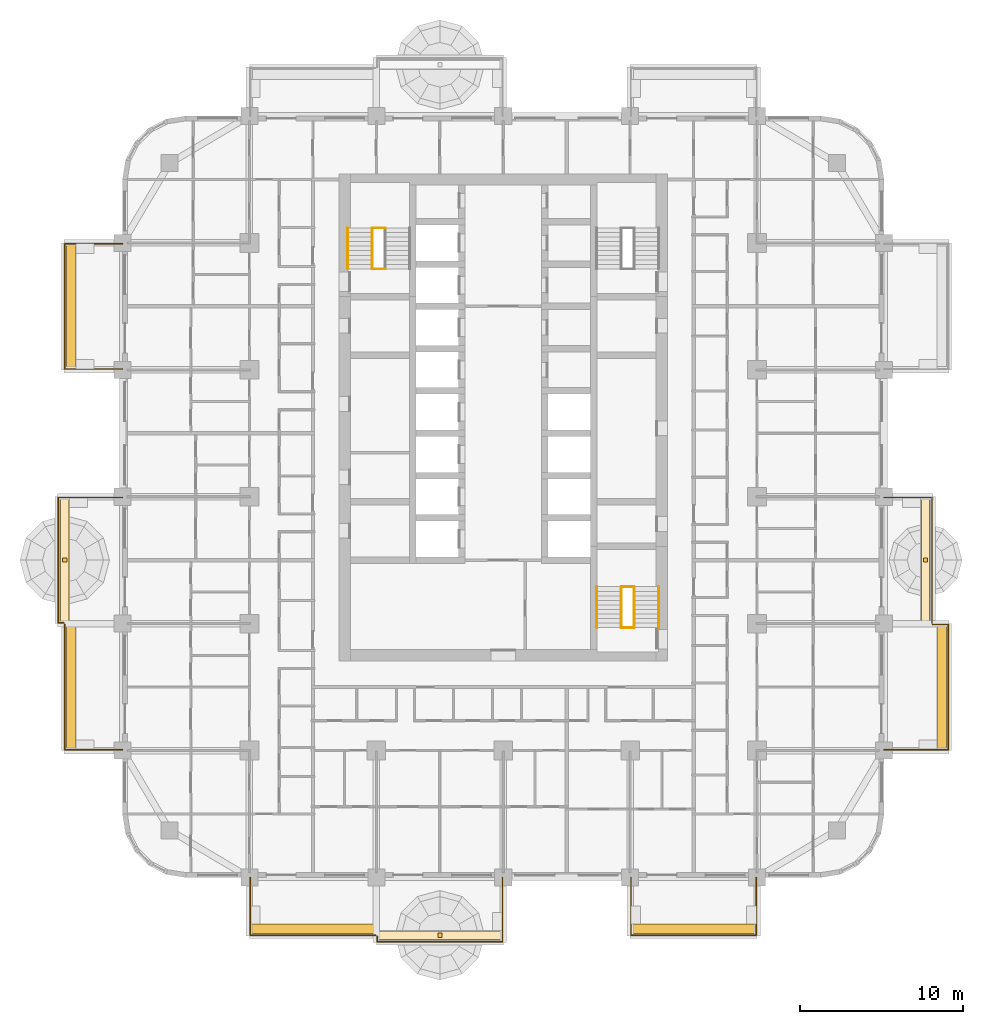
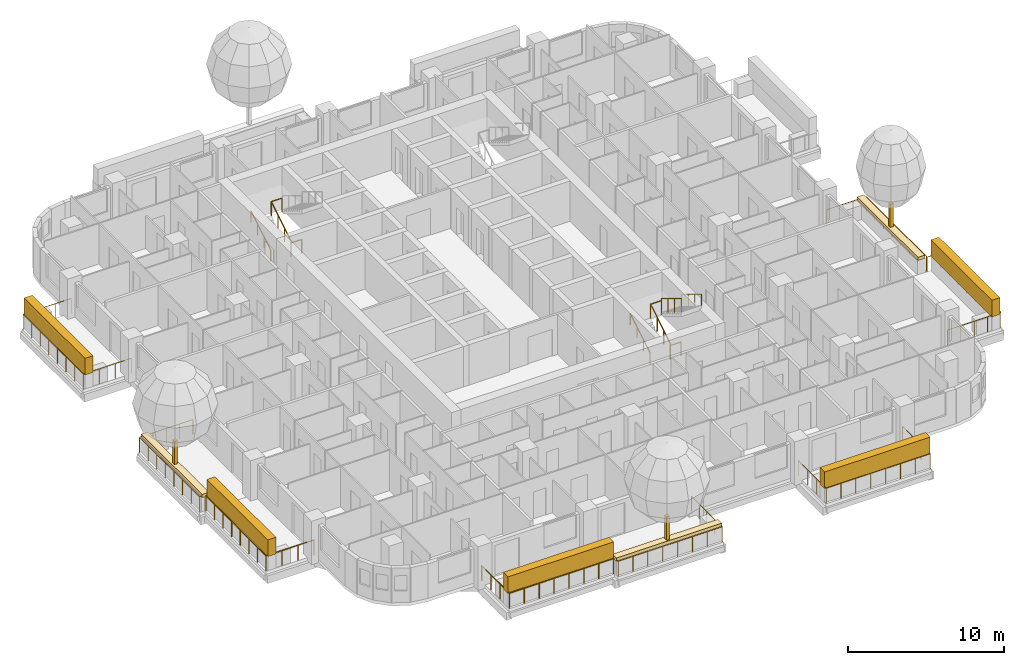
# One storey, part 16 of 18: 18 railings, 11 coverings, 2 elements without a shape of their own.
"""IFC4 building model written with IfcOpenShell, lengths in metres."""

from ifc_helpers import new_model, si_unit, direction, frame, origin, origin_2d, place, context, subcontext, project, spatial, rectangle, circle, extrude, material, layer, layer_set, type_object, element, aggregate, save


model = new_model("IFC4")

# Units and contexts
model_context = context("Model", 3, precision=1e-05, world=origin(), true_north=direction((0.0, 1.0)))
body_context = subcontext(model_context, "Body", "Model", "MODEL_VIEW")
ifc_project = project(units=[si_unit("LENGTHUNIT", "METRE"), si_unit("AREAUNIT", "SQUARE_METRE"), si_unit("VOLUMEUNIT", "CUBIC_METRE"), si_unit("PLANEANGLEUNIT", "RADIAN"), si_unit("MASSUNIT", "GRAM", prefix="KILO")], contexts=[model_context])

# Site, building, storey
site_placement = place(None, origin())
site = spatial("IfcSite", under=ifc_project, at=site_placement, CompositionType="ELEMENT")
building_placement = place(site_placement, origin())
building = spatial("IfcBuilding", under=site, at=building_placement, Name="Ludao Terraces", CompositionType="ELEMENT")
storey_placement = place(building_placement, frame((0.0, 0.0, 26.300048828125)))
storey = spatial("IfcBuildingStorey", under=building, at=storey_placement, Name="L06", CompositionType="ELEMENT", Elevation=26.300048828125)

# Railings
ifc_material_1 = material(Name="Stainless steel 304", Category="steel")
railing_type_1 = type_object("IfcRailingType", Name="ENV Balcony glass guard 1200", PredefinedType="GUARDRAIL", material=ifc_material_1)
railing_1_placement = place(storey_placement, frame((69.449951171875, 41.60009765625, 0.0)))
element("IfcRailing", 1, at=railing_1_placement, inside=storey, type_object=railing_type_1, Name="Balcony guard L06 S1", PredefinedType="GUARDRAIL", context=body_context, shape_type="SweptSolid", body=[
    extrude(circle(Radius=0.02392578125, at=origin_2d()), frame((0.0, 0.0, 1.17578125), z_axis=(0.0, -1.0, 0.0), x_axis=(1.0, 0.0, 0.0)), (0.0, 0.0, 1.0), 3.550048828125),
    extrude(circle(Radius=0.02392578125, at=origin_2d()), frame((0.0, -3.550048828125, 1.17578125), z_axis=(1.0, 0.0, 0.0), x_axis=(0.0, 1.0, 0.0)), (0.0, 0.0, 1.0), 7.699951171875),
    extrude(circle(Radius=0.02099609375, at=origin_2d()), origin(), (0.0, 0.0, 1.0), 1.15185546875),
    extrude(circle(Radius=0.02099609375, at=origin_2d()), frame((0.0, -1.183349609375, 0.0)), (0.0, 0.0, 1.0), 1.15185546875),
    extrude(circle(Radius=0.02099609375, at=origin_2d()), frame((0.0, -2.36669921875, 0.0)), (0.0, 0.0, 1.0), 1.15185546875),
    extrude(circle(Radius=0.02099609375, at=origin_2d()), frame((0.0, -3.550048828125, 0.0)), (0.0, 0.0, 1.0), 1.15185546875),
    extrude(circle(Radius=0.02099609375, at=origin_2d()), frame((1.10009765625, -3.550048828125, 0.0)), (0.0, 0.0, 1.0), 1.15185546875),
    extrude(circle(Radius=0.02099609375, at=origin_2d()), frame((2.199951171875, -3.550048828125, 0.0)), (0.0, 0.0, 1.0), 1.15185546875),
    extrude(circle(Radius=0.02099609375, at=origin_2d()), frame((3.300048828125, -3.550048828125, 0.0)), (0.0, 0.0, 1.0), 1.15185546875),
    extrude(circle(Radius=0.02099609375, at=origin_2d()), frame((4.39990234375, -3.550048828125, 0.0)), (0.0, 0.0, 1.0), 1.15185546875),
    extrude(circle(Radius=0.02099609375, at=origin_2d()), frame((5.5, -3.550048828125, 0.0)), (0.0, 0.0, 1.0), 1.15185546875),
    extrude(circle(Radius=0.02099609375, at=origin_2d()), frame((6.599853515625, -3.550048828125, 0.0)), (0.0, 0.0, 1.0), 1.15185546875),
    extrude(circle(Radius=0.02099609375, at=origin_2d()), frame((7.699951171875, -3.550048828125, 0.0)), (0.0, 0.0, 1.0), 1.15185546875),
])
railing_2_placement = place(storey_placement, frame((77.25, 38.0, 0.0)))
element("IfcRailing", 2, at=railing_2_placement, inside=storey, type_object=railing_type_1, Name="Balcony guard L06 S2", PredefinedType="GUARDRAIL", context=body_context, shape_type="SweptSolid", body=[
    extrude(circle(Radius=0.02392578125, at=origin_2d()), frame((0.0, 0.0, 1.17578125), z_axis=(0.0, -1.0, 0.0), x_axis=(1.0, 0.0, 0.0)), (0.0, 0.0, 1.0), 0.35009765625),
    extrude(circle(Radius=0.02392578125, at=origin_2d()), frame((0.0, -0.35009765625, 1.17578125), z_axis=(1.0, 0.0, 0.0), x_axis=(0.0, 1.0, 0.0)), (0.0, 0.0, 1.0), 7.699951171875),
    extrude(circle(Radius=0.02392578125, at=origin_2d()), frame((7.699951171875, -0.35009765625, 1.17578125), z_axis=(0.0, 1.0, 0.0), x_axis=(-1.0, 0.0, 0.0)), (0.0, 0.0, 1.0), 3.9501953125),
    extrude(circle(Radius=0.02099609375, at=origin_2d()), origin(), (0.0, 0.0, 1.0), 1.15185546875),
    extrude(circle(Radius=0.02099609375, at=origin_2d()), frame((0.0, -0.35009765625, 0.0)), (0.0, 0.0, 1.0), 1.15185546875),
    extrude(circle(Radius=0.02099609375, at=origin_2d()), frame((1.10009765625, -0.35009765625, 0.0)), (0.0, 0.0, 1.0), 1.15185546875),
    extrude(circle(Radius=0.02099609375, at=origin_2d()), frame((2.199951171875, -0.35009765625, 0.0)), (0.0, 0.0, 1.0), 1.15185546875),
    extrude(circle(Radius=0.02099609375, at=origin_2d()), frame((3.300048828125, -0.35009765625, 0.0)), (0.0, 0.0, 1.0), 1.15185546875),
    extrude(circle(Radius=0.02099609375, at=origin_2d()), frame((4.39990234375, -0.35009765625, 0.0)), (0.0, 0.0, 1.0), 1.15185546875),
    extrude(circle(Radius=0.02099609375, at=origin_2d()), frame((5.5, -0.35009765625, 0.0)), (0.0, 0.0, 1.0), 1.15185546875),
    extrude(circle(Radius=0.02099609375, at=origin_2d()), frame((6.599853515625, -0.35009765625, 0.0)), (0.0, 0.0, 1.0), 1.15185546875),
    extrude(circle(Radius=0.02099609375, at=origin_2d()), frame((7.699951171875, -0.35009765625, 0.0)), (0.0, 0.0, 1.0), 1.15185546875),
    extrude(circle(Radius=0.02099609375, at=origin_2d()), frame((7.699951171875, 0.637451171875, 0.0)), (0.0, 0.0, 1.0), 1.15185546875),
    extrude(circle(Radius=0.02099609375, at=origin_2d()), frame((7.699951171875, 1.625, 0.0)), (0.0, 0.0, 1.0), 1.15185546875),
    extrude(circle(Radius=0.02099609375, at=origin_2d()), frame((7.699951171875, 2.612548828125, 0.0)), (0.0, 0.0, 1.0), 1.15185546875),
    extrude(circle(Radius=0.02099609375, at=origin_2d()), frame((7.699951171875, 3.60009765625, 0.0)), (0.0, 0.0, 1.0), 1.15185546875),
])
railing_3_placement = place(storey_placement, frame((92.85009765625, 41.60009765625, 0.0)))
element("IfcRailing", 3, at=railing_3_placement, inside=storey, type_object=railing_type_1, Name="Balcony guard L06 S4", PredefinedType="GUARDRAIL", context=body_context, shape_type="SweptSolid", body=[
    extrude(circle(Radius=0.02392578125, at=origin_2d()), frame((0.0, 0.0, 1.17578125), z_axis=(0.0, -1.0, 0.0), x_axis=(1.0, 0.0, 0.0)), (0.0, 0.0, 1.0), 3.550048828125),
    extrude(circle(Radius=0.02392578125, at=origin_2d()), frame((0.0, -3.550048828125, 1.17578125), z_axis=(1.0, 0.0, 0.0), x_axis=(0.0, 1.0, 0.0)), (0.0, 0.0, 1.0), 7.699951171875),
    extrude(circle(Radius=0.02392578125, at=origin_2d()), frame((7.699951171875, -3.550048828125, 1.17578125), z_axis=(0.0, 1.0, 0.0), x_axis=(-1.0, 0.0, 0.0)), (0.0, 0.0, 1.0), 3.550048828125),
    extrude(circle(Radius=0.02099609375, at=origin_2d()), origin(), (0.0, 0.0, 1.0), 1.15185546875),
    extrude(circle(Radius=0.02099609375, at=origin_2d()), frame((0.0, -1.183349609375, 0.0)), (0.0, 0.0, 1.0), 1.15185546875),
    extrude(circle(Radius=0.02099609375, at=origin_2d()), frame((0.0, -2.36669921875, 0.0)), (0.0, 0.0, 1.0), 1.15185546875),
    extrude(circle(Radius=0.02099609375, at=origin_2d()), frame((0.0, -3.550048828125, 0.0)), (0.0, 0.0, 1.0), 1.15185546875),
    extrude(circle(Radius=0.02099609375, at=origin_2d()), frame((1.10009765625, -3.550048828125, 0.0)), (0.0, 0.0, 1.0), 1.15185546875),
    extrude(circle(Radius=0.02099609375, at=origin_2d()), frame((2.199951171875, -3.550048828125, 0.0)), (0.0, 0.0, 1.0), 1.15185546875),
    extrude(circle(Radius=0.02099609375, at=origin_2d()), frame((3.300048828125, -3.550048828125, 0.0)), (0.0, 0.0, 1.0), 1.15185546875),
    extrude(circle(Radius=0.02099609375, at=origin_2d()), frame((4.39990234375, -3.550048828125, 0.0)), (0.0, 0.0, 1.0), 1.15185546875),
    extrude(circle(Radius=0.02099609375, at=origin_2d()), frame((5.5, -3.550048828125, 0.0)), (0.0, 0.0, 1.0), 1.15185546875),
    extrude(circle(Radius=0.02099609375, at=origin_2d()), frame((6.599853515625, -3.550048828125, 0.0)), (0.0, 0.0, 1.0), 1.15185546875),
    extrude(circle(Radius=0.02099609375, at=origin_2d()), frame((7.699951171875, -3.550048828125, 0.0)), (0.0, 0.0, 1.0), 1.15185546875),
    extrude(circle(Radius=0.02099609375, at=origin_2d()), frame((7.699951171875, -2.36669921875, 0.0)), (0.0, 0.0, 1.0), 1.15185546875),
    extrude(circle(Radius=0.02099609375, at=origin_2d()), frame((7.699951171875, -1.183349609375, 0.0)), (0.0, 0.0, 1.0), 1.15185546875),
    extrude(circle(Radius=0.02099609375, at=origin_2d()), frame((7.699951171875, 0.0, 0.0)), (0.0, 0.0, 1.0), 1.15185546875),
])
railing_4_placement = place(storey_placement, frame((108.39990234375, 49.449951171875, 0.0)))
element("IfcRailing", 4, at=railing_4_placement, inside=storey, type_object=railing_type_1, Name="Balcony guard L06 E1", PredefinedType="GUARDRAIL", context=body_context, shape_type="SweptSolid", body=[
    extrude(circle(Radius=0.02392578125, at=origin_2d()), frame((0.0, 0.0, 1.17578125), z_axis=(1.0, 0.0, 0.0), x_axis=(0.0, 1.0, 0.0)), (0.0, 0.0, 1.0), 3.9501953125),
    extrude(circle(Radius=0.02392578125, at=origin_2d()), frame((3.9501953125, 0.0, 1.17578125), z_axis=(0.0, 1.0, 0.0), x_axis=(-1.0, 0.0, 0.0)), (0.0, 0.0, 1.0), 7.699951171875),
    extrude(circle(Radius=0.02392578125, at=origin_2d()), frame((3.9501953125, 7.699951171875, 1.17578125), z_axis=(-1.0, 0.0, 0.0), x_axis=(0.0, -1.0, 0.0)), (0.0, 0.0, 1.0), 0.9501953125),
    extrude(circle(Radius=0.02099609375, at=origin_2d()), origin(), (0.0, 0.0, 1.0), 1.15185546875),
    extrude(circle(Radius=0.02099609375, at=origin_2d()), frame((0.987548828125, 0.0, 0.0)), (0.0, 0.0, 1.0), 1.15185546875),
    extrude(circle(Radius=0.02099609375, at=origin_2d()), frame((1.97509765625, 0.0, 0.0)), (0.0, 0.0, 1.0), 1.15185546875),
    extrude(circle(Radius=0.02099609375, at=origin_2d()), frame((2.962646484375, 0.0, 0.0)), (0.0, 0.0, 1.0), 1.15185546875),
    extrude(circle(Radius=0.02099609375, at=origin_2d()), frame((3.9501953125, 0.0, 0.0)), (0.0, 0.0, 1.0), 1.15185546875),
    extrude(circle(Radius=0.02099609375, at=origin_2d()), frame((3.9501953125, 1.10009765625, 0.0)), (0.0, 0.0, 1.0), 1.15185546875),
    extrude(circle(Radius=0.02099609375, at=origin_2d()), frame((3.9501953125, 2.199951171875, 0.0)), (0.0, 0.0, 1.0), 1.15185546875),
    extrude(circle(Radius=0.02099609375, at=origin_2d()), frame((3.9501953125, 3.300048828125, 0.0)), (0.0, 0.0, 1.0), 1.15185546875),
    extrude(circle(Radius=0.02099609375, at=origin_2d()), frame((3.9501953125, 4.39990234375, 0.0)), (0.0, 0.0, 1.0), 1.15185546875),
    extrude(circle(Radius=0.02099609375, at=origin_2d()), frame((3.9501953125, 5.5, 0.0)), (0.0, 0.0, 1.0), 1.15185546875),
    extrude(circle(Radius=0.02099609375, at=origin_2d()), frame((3.9501953125, 6.599853515625, 0.0)), (0.0, 0.0, 1.0), 1.15185546875),
    extrude(circle(Radius=0.02099609375, at=origin_2d()), frame((3.9501953125, 7.699951171875, 0.0)), (0.0, 0.0, 1.0), 1.15185546875),
    extrude(circle(Radius=0.02099609375, at=origin_2d()), frame((3.0, 7.699951171875, 0.0)), (0.0, 0.0, 1.0), 1.15185546875),
])
railing_5_placement = place(storey_placement, frame((111.35009765625, 57.25, 0.0)))
element("IfcRailing", 5, at=railing_5_placement, inside=storey, type_object=railing_type_1, Name="Balcony guard L06 E2", PredefinedType="GUARDRAIL", context=body_context, shape_type="SweptSolid", body=[
    extrude(circle(Radius=0.02392578125, at=origin_2d()), frame((0.0, 0.0, 1.17578125), z_axis=(0.0, 1.0, 0.0), x_axis=(-1.0, 0.0, 0.0)), (0.0, 0.0, 1.0), 7.699951171875),
    extrude(circle(Radius=0.02392578125, at=origin_2d()), frame((0.0, 7.699951171875, 1.17578125), z_axis=(-1.0, 0.0, 0.0), x_axis=(0.0, -1.0, 0.0)), (0.0, 0.0, 1.0), 2.9501953125),
    extrude(circle(Radius=0.02099609375, at=origin_2d()), origin(), (0.0, 0.0, 1.0), 1.15185546875),
    extrude(circle(Radius=0.02099609375, at=origin_2d()), frame((0.0, 1.10009765625, 0.0)), (0.0, 0.0, 1.0), 1.15185546875),
    extrude(circle(Radius=0.02099609375, at=origin_2d()), frame((0.0, 2.199951171875, 0.0)), (0.0, 0.0, 1.0), 1.15185546875),
    extrude(circle(Radius=0.02099609375, at=origin_2d()), frame((0.0, 3.300048828125, 0.0)), (0.0, 0.0, 1.0), 1.15185546875),
    extrude(circle(Radius=0.02099609375, at=origin_2d()), frame((0.0, 4.39990234375, 0.0)), (0.0, 0.0, 1.0), 1.15185546875),
    extrude(circle(Radius=0.02099609375, at=origin_2d()), frame((0.0, 5.5, 0.0)), (0.0, 0.0, 1.0), 1.15185546875),
    extrude(circle(Radius=0.02099609375, at=origin_2d()), frame((0.0, 6.599853515625, 0.0)), (0.0, 0.0, 1.0), 1.15185546875),
    extrude(circle(Radius=0.02099609375, at=origin_2d()), frame((0.0, 7.699951171875, 0.0)), (0.0, 0.0, 1.0), 1.15185546875),
    extrude(circle(Radius=0.02099609375, at=origin_2d()), frame((-0.9833984375, 7.699951171875, 0.0)), (0.0, 0.0, 1.0), 1.15185546875),
    extrude(circle(Radius=0.02099609375, at=origin_2d()), frame((-1.966796875, 7.699951171875, 0.0)), (0.0, 0.0, 1.0), 1.15185546875),
    extrude(circle(Radius=0.02099609375, at=origin_2d()), frame((-2.9501953125, 7.699951171875, 0.0)), (0.0, 0.0, 1.0), 1.15185546875),
])
railing_6_placement = place(storey_placement, frame((61.60009765625, 49.449951171875, 0.0)))
element("IfcRailing", 6, at=railing_6_placement, inside=storey, type_object=railing_type_1, Name="Balcony guard L06 W1", PredefinedType="GUARDRAIL", context=body_context, shape_type="SweptSolid", body=[
    extrude(circle(Radius=0.02392578125, at=origin_2d()), frame((0.0, 0.0, 1.17578125), z_axis=(-1.0, 0.0, 0.0), x_axis=(0.0, -1.0, 0.0)), (0.0, 0.0, 1.0), 3.550048828125),
    extrude(circle(Radius=0.02392578125, at=origin_2d()), frame((-3.550048828125, 0.0, 1.17578125), z_axis=(0.0, 1.0, 0.0), x_axis=(-1.0, 0.0, 0.0)), (0.0, 0.0, 1.0), 7.699951171875),
    extrude(circle(Radius=0.02099609375, at=origin_2d()), origin(), (0.0, 0.0, 1.0), 1.15185546875),
    extrude(circle(Radius=0.02099609375, at=origin_2d()), frame((-1.183349609375, 0.0, 0.0)), (0.0, 0.0, 1.0), 1.15185546875),
    extrude(circle(Radius=0.02099609375, at=origin_2d()), frame((-2.36669921875, 0.0, 0.0)), (0.0, 0.0, 1.0), 1.15185546875),
    extrude(circle(Radius=0.02099609375, at=origin_2d()), frame((-3.550048828125, 0.0, 0.0)), (0.0, 0.0, 1.0), 1.15185546875),
    extrude(circle(Radius=0.02099609375, at=origin_2d()), frame((-3.550048828125, 1.10009765625, 0.0)), (0.0, 0.0, 1.0), 1.15185546875),
    extrude(circle(Radius=0.02099609375, at=origin_2d()), frame((-3.550048828125, 2.199951171875, 0.0)), (0.0, 0.0, 1.0), 1.15185546875),
    extrude(circle(Radius=0.02099609375, at=origin_2d()), frame((-3.550048828125, 3.300048828125, 0.0)), (0.0, 0.0, 1.0), 1.15185546875),
    extrude(circle(Radius=0.02099609375, at=origin_2d()), frame((-3.550048828125, 4.39990234375, 0.0)), (0.0, 0.0, 1.0), 1.15185546875),
    extrude(circle(Radius=0.02099609375, at=origin_2d()), frame((-3.550048828125, 5.5, 0.0)), (0.0, 0.0, 1.0), 1.15185546875),
    extrude(circle(Radius=0.02099609375, at=origin_2d()), frame((-3.550048828125, 6.599853515625, 0.0)), (0.0, 0.0, 1.0), 1.15185546875),
    extrude(circle(Radius=0.02099609375, at=origin_2d()), frame((-3.550048828125, 7.699951171875, 0.0)), (0.0, 0.0, 1.0), 1.15185546875),
])
railing_7_placement = place(storey_placement, frame((58.0, 57.25, 0.0)))
element("IfcRailing", 7, at=railing_7_placement, inside=storey, type_object=railing_type_1, Name="Balcony guard L06 W2", PredefinedType="GUARDRAIL", context=body_context, shape_type="SweptSolid", body=[
    extrude(circle(Radius=0.02392578125, at=origin_2d()), frame((0.0, 0.0, 1.17578125), z_axis=(-1.0, 0.0, 0.0), x_axis=(0.0, -1.0, 0.0)), (0.0, 0.0, 1.0), 0.35009765625),
    extrude(circle(Radius=0.02392578125, at=origin_2d()), frame((-0.35009765625, 0.0, 1.17578125), z_axis=(0.0, 1.0, 0.0), x_axis=(-1.0, 0.0, 0.0)), (0.0, 0.0, 1.0), 7.699951171875),
    extrude(circle(Radius=0.02392578125, at=origin_2d()), frame((-0.35009765625, 7.699951171875, 1.17578125), z_axis=(1.0, 0.0, 0.0), x_axis=(0.0, 1.0, 0.0)), (0.0, 0.0, 1.0), 3.9501953125),
    extrude(circle(Radius=0.02099609375, at=origin_2d()), origin(), (0.0, 0.0, 1.0), 1.15185546875),
    extrude(circle(Radius=0.02099609375, at=origin_2d()), frame((-0.35009765625, 0.0, 0.0)), (0.0, 0.0, 1.0), 1.15185546875),
    extrude(circle(Radius=0.02099609375, at=origin_2d()), frame((-0.35009765625, 1.10009765625, 0.0)), (0.0, 0.0, 1.0), 1.15185546875),
    extrude(circle(Radius=0.02099609375, at=origin_2d()), frame((-0.35009765625, 2.199951171875, 0.0)), (0.0, 0.0, 1.0), 1.15185546875),
    extrude(circle(Radius=0.02099609375, at=origin_2d()), frame((-0.35009765625, 3.300048828125, 0.0)), (0.0, 0.0, 1.0), 1.15185546875),
    extrude(circle(Radius=0.02099609375, at=origin_2d()), frame((-0.35009765625, 4.39990234375, 0.0)), (0.0, 0.0, 1.0), 1.15185546875),
    extrude(circle(Radius=0.02099609375, at=origin_2d()), frame((-0.35009765625, 5.5, 0.0)), (0.0, 0.0, 1.0), 1.15185546875),
    extrude(circle(Radius=0.02099609375, at=origin_2d()), frame((-0.35009765625, 6.599853515625, 0.0)), (0.0, 0.0, 1.0), 1.15185546875),
    extrude(circle(Radius=0.02099609375, at=origin_2d()), frame((-0.35009765625, 7.699951171875, 0.0)), (0.0, 0.0, 1.0), 1.15185546875),
    extrude(circle(Radius=0.02099609375, at=origin_2d()), frame((0.637451171875, 7.699951171875, 0.0)), (0.0, 0.0, 1.0), 1.15185546875),
    extrude(circle(Radius=0.02099609375, at=origin_2d()), frame((1.625, 7.699951171875, 0.0)), (0.0, 0.0, 1.0), 1.15185546875),
    extrude(circle(Radius=0.02099609375, at=origin_2d()), frame((2.612548828125, 7.699951171875, 0.0)), (0.0, 0.0, 1.0), 1.15185546875),
    extrude(circle(Radius=0.02099609375, at=origin_2d()), frame((3.60009765625, 7.699951171875, 0.0)), (0.0, 0.0, 1.0), 1.15185546875),
])
railing_8_placement = place(storey_placement, frame((61.60009765625, 72.85009765625, 0.0)))
element("IfcRailing", 8, at=railing_8_placement, inside=storey, type_object=railing_type_1, Name="Balcony guard L06 W4", PredefinedType="GUARDRAIL", context=body_context, shape_type="SweptSolid", body=[
    extrude(circle(Radius=0.02392578125, at=origin_2d()), frame((0.0, 0.0, 1.17578125), z_axis=(-1.0, 0.0, 0.0), x_axis=(0.0, -1.0, 0.0)), (0.0, 0.0, 1.0), 3.550048828125),
    extrude(circle(Radius=0.02392578125, at=origin_2d()), frame((-3.550048828125, 0.0, 1.17578125), z_axis=(0.0, 1.0, 0.0), x_axis=(-1.0, 0.0, 0.0)), (0.0, 0.0, 1.0), 7.699951171875),
    extrude(circle(Radius=0.02392578125, at=origin_2d()), frame((-3.550048828125, 7.699951171875, 1.17578125), z_axis=(1.0, 0.0, 0.0), x_axis=(0.0, 1.0, 0.0)), (0.0, 0.0, 1.0), 3.550048828125),
    extrude(circle(Radius=0.02099609375, at=origin_2d()), origin(), (0.0, 0.0, 1.0), 1.15185546875),
    extrude(circle(Radius=0.02099609375, at=origin_2d()), frame((-1.183349609375, 0.0, 0.0)), (0.0, 0.0, 1.0), 1.15185546875),
    extrude(circle(Radius=0.02099609375, at=origin_2d()), frame((-2.36669921875, 0.0, 0.0)), (0.0, 0.0, 1.0), 1.15185546875),
    extrude(circle(Radius=0.02099609375, at=origin_2d()), frame((-3.550048828125, 0.0, 0.0)), (0.0, 0.0, 1.0), 1.15185546875),
    extrude(circle(Radius=0.02099609375, at=origin_2d()), frame((-3.550048828125, 1.10009765625, 0.0)), (0.0, 0.0, 1.0), 1.15185546875),
    extrude(circle(Radius=0.02099609375, at=origin_2d()), frame((-3.550048828125, 2.199951171875, 0.0)), (0.0, 0.0, 1.0), 1.15185546875),
    extrude(circle(Radius=0.02099609375, at=origin_2d()), frame((-3.550048828125, 3.300048828125, 0.0)), (0.0, 0.0, 1.0), 1.15185546875),
    extrude(circle(Radius=0.02099609375, at=origin_2d()), frame((-3.550048828125, 4.39990234375, 0.0)), (0.0, 0.0, 1.0), 1.15185546875),
    extrude(circle(Radius=0.02099609375, at=origin_2d()), frame((-3.550048828125, 5.5, 0.0)), (0.0, 0.0, 1.0), 1.15185546875),
    extrude(circle(Radius=0.02099609375, at=origin_2d()), frame((-3.550048828125, 6.599853515625, 0.0)), (0.0, 0.0, 1.0), 1.15185546875),
    extrude(circle(Radius=0.02099609375, at=origin_2d()), frame((-3.550048828125, 7.699951171875, 0.0)), (0.0, 0.0, 1.0), 1.15185546875),
    extrude(circle(Radius=0.02099609375, at=origin_2d()), frame((-2.36669921875, 7.699951171875, 0.0)), (0.0, 0.0, 1.0), 1.15185546875),
    extrude(circle(Radius=0.02099609375, at=origin_2d()), frame((-1.183349609375, 7.699951171875, 0.0)), (0.0, 0.0, 1.0), 1.15185546875),
    extrude(circle(Radius=0.02099609375, at=origin_2d()), frame((0.0, 7.699951171875, 0.0)), (0.0, 0.0, 1.0), 1.15185546875),
])

# Coverings
ifc_material_2 = material(Name="Planting")
ifc_layer_1 = layer(ifc_material_2, 0.5)
ifc_layer_set_1 = layer_set([ifc_layer_1], Name="ENV Planting bed 250")
covering_type_1 = type_object("IfcCoveringType", Name="ENV Planting bed 250", PredefinedType="USERDEFINED", material=ifc_layer_set_1)
covering_placement = place(storey_placement, frame((81.10009765625, 38.050048828125, 1.099853515625), z_axis=(0.0, 0.0, 1.0), x_axis=(1.0, 0.0, 0.0)))
element("IfcCovering", 9, at=covering_placement, inside=storey, type_object=covering_type_1, Name="Planting bed L06-S2", ObjectType="PLANTING", PredefinedType="USERDEFINED", context=body_context, shape_type="SweptSolid", body=[
    extrude(rectangle(XDim=7.800048828125, YDim=0.5, at=origin_2d()), origin(), (0.0, 0.0, 1.0), 0.25),
])
for number, where, z_axis, x_axis, name in (
    (10, (110.949951171875, 61.10009765625, 1.099853515625), (0.0, 0.0, 1.0), (1.0, 0.0, 0.0), "Planting bed L06-E2"),
    (11, (58.050048828125, 61.10009765625, 1.099853515625), (0.0, 0.0, 1.0), (1.0, 0.0, 0.0), "Planting bed L06-W2"),
):
    element("IfcCovering", number, at=place(storey_placement, frame(where, z_axis=z_axis, x_axis=x_axis)), inside=storey, type_object=covering_type_1, Name=name, ObjectType="PLANTING", PredefinedType="USERDEFINED", context=body_context, shape_type="SweptSolid", body=[
        extrude(rectangle(XDim=0.5, YDim=7.800048828125, at=origin_2d()), origin(), (0.0, 0.0, 1.0), 0.25),
    ])
ifc_layer_2 = layer(ifc_material_2, 0.60009765625)
ifc_layer_set_2 = layer_set([ifc_layer_2], Name="ENV Planting hedge 600x1300")
covering_type_2 = type_object("IfcCoveringType", Name="ENV Planting hedge 600x1300", PredefinedType="USERDEFINED", material=ifc_layer_set_2)
for number, where, z_axis, x_axis, name in (
    (12, (73.300048828125, 38.449951171875, 1.10009765625), (0.0, 0.0, 1.0), (1.0, 0.0, 0.0), "Planting hedge L06-S1"),
    (13, (96.699951171875, 38.449951171875, 1.10009765625), (0.0, 0.0, 1.0), (1.0, 0.0, 0.0), "Planting hedge L06-S4"),
):
    element("IfcCovering", number, at=place(storey_placement, frame(where, z_axis=z_axis, x_axis=x_axis)), inside=storey, type_object=covering_type_2, Name=name, ObjectType="PLANTING", PredefinedType="USERDEFINED", context=body_context, shape_type="SweptSolid", body=[
        extrude(rectangle(XDim=7.800048828125, YDim=0.60009765625, at=origin_2d()), origin(), (0.0, 0.0, 1.0), 1.300048828125),
    ])
for number, where, z_axis, x_axis, name in (
    (14, (111.949951171875, 53.300048828125, 1.10009765625), (0.0, 0.0, 1.0), (1.0, 0.0, 0.0), "Planting hedge L06-E1"),
    (15, (58.449951171875, 53.300048828125, 1.10009765625), (0.0, 0.0, 1.0), (1.0, 0.0, 0.0), "Planting hedge L06-W1"),
    (16, (58.449951171875, 76.699951171875, 1.10009765625), (0.0, 0.0, 1.0), (1.0, 0.0, 0.0), "Planting hedge L06-W4"),
):
    element("IfcCovering", number, at=place(storey_placement, frame(where, z_axis=z_axis, x_axis=x_axis)), inside=storey, type_object=covering_type_2, Name=name, ObjectType="PLANTING", PredefinedType="USERDEFINED", context=body_context, shape_type="SweptSolid", body=[
        extrude(rectangle(XDim=0.60009765625, YDim=7.800048828125, at=origin_2d()), origin(), (0.0, 0.0, 1.0), 1.300048828125),
    ])
ifc_material_3 = material(Name="Timber tree trunk", Category="wood")
ifc_layer_3 = layer(ifc_material_3, 0.25)
ifc_layer_set_3 = layer_set([ifc_layer_3], Name="ENV Tree trunk 250x1800")
covering_type_3 = type_object("IfcCoveringType", Name="ENV Tree trunk 250x1800", PredefinedType="USERDEFINED", material=ifc_layer_set_3)
for number, where, z_axis, x_axis, name in (
    (17, (81.10009765625, 38.050048828125, 1.35009765625), (0.0, 0.0, 1.0), (1.0, 0.0, 0.0), "Tree trunk L06 S2"),
    (18, (110.949951171875, 61.10009765625, 1.35009765625), (0.0, 0.0, 1.0), (1.0, 0.0, 0.0), "Tree trunk L06 E2"),
    (19, (58.050048828125, 61.10009765625, 1.35009765625), (0.0, 0.0, 1.0), (1.0, 0.0, 0.0), "Tree trunk L06 W2"),
):
    element("IfcCovering", number, at=place(storey_placement, frame(where, z_axis=z_axis, x_axis=x_axis)), inside=storey, type_object=covering_type_3, Name=name, ObjectType="PLANTING", PredefinedType="USERDEFINED", context=body_context, shape_type="SweptSolid", body=[
        extrude(rectangle(XDim=0.25, YDim=0.25, at=origin_2d()), origin(), (0.0, 0.0, 1.0), 1.800048828125),
    ])

# Stair, railings
ifc_material_4 = material(Name="Concrete C40", Category="concrete")
stair_type = type_object("IfcStairType", Name="INT Stair", PredefinedType="HALF_TURN_STAIR", material=ifc_material_4)
stair_1_placement = place(storey_placement, origin())
stair_1 = element("IfcStair", 20, at=stair_1_placement, inside=storey, type_object=stair_type, Name="EXIT STAIR 1", PredefinedType="HALF_TURN_STAIR")
railing_type_2 = type_object("IfcRailingType", Name="INT Stair guard 1100", PredefinedType="GUARDRAIL", material=ifc_material_1)
railing_9_placement = place(storey_placement, frame((76.949951171875, 79.0, 0.169921875)))
railing_9 = element("IfcRailing", 21, at=railing_9_placement, type_object=railing_type_2, Name="ST-L06-S1-R1G", PredefinedType="GUARDRAIL", context=body_context, shape_type="SweptSolid", body=[
    extrude(circle(Radius=0.02392578125, at=origin_2d()), frame((0.0, 0.0, 1.076171875), z_axis=(0.0, 0.85478489116, 0.518982456201), x_axis=(-1.0, 0.0, 0.0)), (0.0, 0.0, 1.0), 2.9482421875),
    extrude(circle(Radius=0.02099609375, at=origin_2d()), origin(), (0.0, 0.0, 1.0), 1.052001953125),
    extrude(circle(Radius=0.02099609375, at=origin_2d()), frame((0.0, 0.840087890625, 0.510009765625)), (0.0, 0.0, 1.0), 1.052001953125),
    extrude(circle(Radius=0.02099609375, at=origin_2d()), frame((0.0, 1.679931640625, 1.02001953125)), (0.0, 0.0, 1.0), 1.052001953125),
    extrude(circle(Radius=0.02099609375, at=origin_2d()), frame((0.0, 2.52001953125, 1.530029296875)), (0.0, 0.0, 1.0), 1.052001953125),
])
railing_10_placement = place(storey_placement, frame((76.949951171875, 81.52001953125, 1.699951171875)))
railing_10 = element("IfcRailing", 22, at=railing_10_placement, type_object=railing_type_2, Name="ST-L06-S1-E1G", PredefinedType="GUARDRAIL", context=body_context, shape_type="SweptSolid", body=[
    extrude(circle(Radius=0.02392578125, at=origin_2d()), frame((0.0, 0.0, 1.076171875), z_axis=(1.0, 0.0, 0.0), x_axis=(0.0, 1.0, 0.0)), (0.0, 0.0, 1.0), 0.800048828125),
    extrude(circle(Radius=0.02099609375, at=origin_2d()), origin(), (0.0, 0.0, 1.0), 1.052001953125),
    extrude(circle(Radius=0.02099609375, at=origin_2d()), frame((0.800048828125, 0.0, 0.0)), (0.0, 0.0, 1.0), 1.052001953125),
])
railing_11_placement = place(storey_placement, frame((76.949951171875, 79.0, 0.0)))
railing_11 = element("IfcRailing", 23, at=railing_11_placement, type_object=railing_type_2, Name="ST-L06-S1-E2G", PredefinedType="GUARDRAIL", context=body_context, shape_type="SweptSolid", body=[
    extrude(circle(Radius=0.02392578125, at=origin_2d()), frame((0.0, 0.0, 1.076171875), z_axis=(1.0, 0.0, 0.0), x_axis=(0.0, 1.0, 0.0)), (0.0, 0.0, 1.0), 0.800048828125),
    extrude(circle(Radius=0.02099609375, at=origin_2d()), origin(), (0.0, 0.0, 1.0), 1.052001953125),
    extrude(circle(Radius=0.02099609375, at=origin_2d()), frame((0.800048828125, 0.0, 0.0)), (0.0, 0.0, 1.0), 1.052001953125),
])

stair_2_placement = place(storey_placement, origin())
stair_2 = element("IfcStair", 24, at=stair_2_placement, inside=storey, type_object=stair_type, Name="EXIT STAIR 3", PredefinedType="HALF_TURN_STAIR")
railing_12_placement = place(storey_placement, frame((92.25, 56.949951171875, 0.169921875)))
railing_12 = element("IfcRailing", 25, at=railing_12_placement, type_object=railing_type_2, Name="ST-L06-S3-R1G", PredefinedType="GUARDRAIL", context=body_context, shape_type="SweptSolid", body=[
    extrude(circle(Radius=0.02392578125, at=origin_2d()), frame((0.0, 0.0, 1.076171875), z_axis=(0.0, 0.85478489116, 0.518982456201), x_axis=(-1.0, 0.0, 0.0)), (0.0, 0.0, 1.0), 2.9482421875),
    extrude(circle(Radius=0.02099609375, at=origin_2d()), origin(), (0.0, 0.0, 1.0), 1.052001953125),
    extrude(circle(Radius=0.02099609375, at=origin_2d()), frame((0.0, 0.840087890625, 0.510009765625)), (0.0, 0.0, 1.0), 1.052001953125),
    extrude(circle(Radius=0.02099609375, at=origin_2d()), frame((0.0, 1.679931640625, 1.02001953125)), (0.0, 0.0, 1.0), 1.052001953125),
    extrude(circle(Radius=0.02099609375, at=origin_2d()), frame((0.0, 2.52001953125, 1.530029296875)), (0.0, 0.0, 1.0), 1.052001953125),
])
railing_13_placement = place(storey_placement, frame((93.050048828125, 59.469970703125, 1.869873046875)))
railing_13 = element("IfcRailing", 26, at=railing_13_placement, type_object=railing_type_2, Name="ST-L06-S3-R2G", PredefinedType="GUARDRAIL", context=body_context, shape_type="SweptSolid", body=[
    extrude(circle(Radius=0.02392578125, at=origin_2d()), frame((0.0, 0.0, 1.076171875), z_axis=(0.0, -0.85478489116, 0.518982456201), x_axis=(1.0, 0.0, 0.0)), (0.0, 0.0, 1.0), 2.9482421875),
    extrude(circle(Radius=0.02099609375, at=origin_2d()), origin(), (0.0, 0.0, 1.0), 1.052001953125),
    extrude(circle(Radius=0.02099609375, at=origin_2d()), frame((0.0, -0.840087890625, 0.510009765625)), (0.0, 0.0, 1.0), 1.052001953125),
    extrude(circle(Radius=0.02099609375, at=origin_2d()), frame((0.0, -1.679931640625, 1.02001953125)), (0.0, 0.0, 1.0), 1.052001953125),
    extrude(circle(Radius=0.02099609375, at=origin_2d()), frame((0.0, -2.52001953125, 1.530029296875)), (0.0, 0.0, 1.0), 1.052001953125),
])
railing_14_placement = place(storey_placement, frame((92.25, 59.469970703125, 1.699951171875)))
railing_14 = element("IfcRailing", 27, at=railing_14_placement, type_object=railing_type_2, Name="ST-L06-S3-E1G", PredefinedType="GUARDRAIL", context=body_context, shape_type="SweptSolid", body=[
    extrude(circle(Radius=0.02392578125, at=origin_2d()), frame((0.0, 0.0, 1.076171875), z_axis=(1.0, 0.0, 0.0), x_axis=(0.0, 1.0, 0.0)), (0.0, 0.0, 1.0), 0.800048828125),
    extrude(circle(Radius=0.02099609375, at=origin_2d()), origin(), (0.0, 0.0, 1.0), 1.052001953125),
    extrude(circle(Radius=0.02099609375, at=origin_2d()), frame((0.800048828125, 0.0, 0.0)), (0.0, 0.0, 1.0), 1.052001953125),
])
railing_15_placement = place(storey_placement, frame((92.25, 56.949951171875, 0.0)))
railing_15 = element("IfcRailing", 28, at=railing_15_placement, type_object=railing_type_2, Name="ST-L06-S3-E2G", PredefinedType="GUARDRAIL", context=body_context, shape_type="SweptSolid", body=[
    extrude(circle(Radius=0.02392578125, at=origin_2d()), frame((0.0, 0.0, 1.076171875), z_axis=(1.0, 0.0, 0.0), x_axis=(0.0, 1.0, 0.0)), (0.0, 0.0, 1.0), 0.800048828125),
    extrude(circle(Radius=0.02099609375, at=origin_2d()), origin(), (0.0, 0.0, 1.0), 1.052001953125),
    extrude(circle(Radius=0.02099609375, at=origin_2d()), frame((0.800048828125, 0.0, 0.0)), (0.0, 0.0, 1.0), 1.052001953125),
])

# Railing
railing_type_3 = type_object("IfcRailingType", Name="INT Stair handrail 900", PredefinedType="HANDRAIL", material=ifc_material_1)
railing_16_placement = place(storey_placement, frame((75.449951171875, 79.0, 0.169921875)))
railing_16 = element("IfcRailing", 29, at=railing_16_placement, type_object=railing_type_3, Name="ST-L06-S1-R1H", PredefinedType="HANDRAIL", context=body_context, shape_type="SweptSolid", body=[
    extrude(circle(Radius=0.02392578125, at=origin_2d()), frame((0.0, 0.0, 0.8759765625), z_axis=(0.0, 0.85478489116, 0.518982456201), x_axis=(-1.0, 0.0, 0.0)), (0.0, 0.0, 1.0), 2.9482421875),
    extrude(circle(Radius=0.02099609375, at=origin_2d()), origin(), (0.0, 0.0, 1.0), 0.851806640625),
    extrude(circle(Radius=0.02099609375, at=origin_2d()), frame((0.0, 0.840087890625, 0.510009765625)), (0.0, 0.0, 1.0), 0.851806640625),
    extrude(circle(Radius=0.02099609375, at=origin_2d()), frame((0.0, 1.679931640625, 1.02001953125)), (0.0, 0.0, 1.0), 0.851806640625),
    extrude(circle(Radius=0.02099609375, at=origin_2d()), frame((0.0, 2.52001953125, 1.530029296875)), (0.0, 0.0, 1.0), 0.851806640625),
])

aggregate(stair_1, [railing_9, railing_16, railing_10, railing_11])

railing_17_placement = place(storey_placement, frame((90.75, 56.949951171875, 0.169921875)))
railing_17 = element("IfcRailing", 30, at=railing_17_placement, type_object=railing_type_3, Name="ST-L06-S3-R1H", PredefinedType="HANDRAIL", context=body_context, shape_type="SweptSolid", body=[
    extrude(circle(Radius=0.02392578125, at=origin_2d()), frame((0.0, 0.0, 0.8759765625), z_axis=(0.0, 0.85478489116, 0.518982456201), x_axis=(-1.0, 0.0, 0.0)), (0.0, 0.0, 1.0), 2.9482421875),
    extrude(circle(Radius=0.02099609375, at=origin_2d()), origin(), (0.0, 0.0, 1.0), 0.851806640625),
    extrude(circle(Radius=0.02099609375, at=origin_2d()), frame((0.0, 0.840087890625, 0.510009765625)), (0.0, 0.0, 1.0), 0.851806640625),
    extrude(circle(Radius=0.02099609375, at=origin_2d()), frame((0.0, 1.679931640625, 1.02001953125)), (0.0, 0.0, 1.0), 0.851806640625),
    extrude(circle(Radius=0.02099609375, at=origin_2d()), frame((0.0, 2.52001953125, 1.530029296875)), (0.0, 0.0, 1.0), 0.851806640625),
])

railing_18_placement = place(storey_placement, frame((94.550048828125, 59.469970703125, 1.869873046875)))
railing_18 = element("IfcRailing", 31, at=railing_18_placement, type_object=railing_type_3, Name="ST-L06-S3-R2H", PredefinedType="HANDRAIL", context=body_context, shape_type="SweptSolid", body=[
    extrude(circle(Radius=0.02392578125, at=origin_2d()), frame((0.0, 0.0, 0.8759765625), z_axis=(0.0, -0.85478489116, 0.518982456201), x_axis=(1.0, 0.0, 0.0)), (0.0, 0.0, 1.0), 2.9482421875),
    extrude(circle(Radius=0.02099609375, at=origin_2d()), origin(), (0.0, 0.0, 1.0), 0.851806640625),
    extrude(circle(Radius=0.02099609375, at=origin_2d()), frame((0.0, -0.840087890625, 0.510009765625)), (0.0, 0.0, 1.0), 0.851806640625),
    extrude(circle(Radius=0.02099609375, at=origin_2d()), frame((0.0, -1.679931640625, 1.02001953125)), (0.0, 0.0, 1.0), 0.851806640625),
    extrude(circle(Radius=0.02099609375, at=origin_2d()), frame((0.0, -2.52001953125, 1.530029296875)), (0.0, 0.0, 1.0), 0.851806640625),
])

aggregate(stair_2, [railing_12, railing_17, railing_13, railing_18, railing_14, railing_15])

save(model, "model.ifc")
